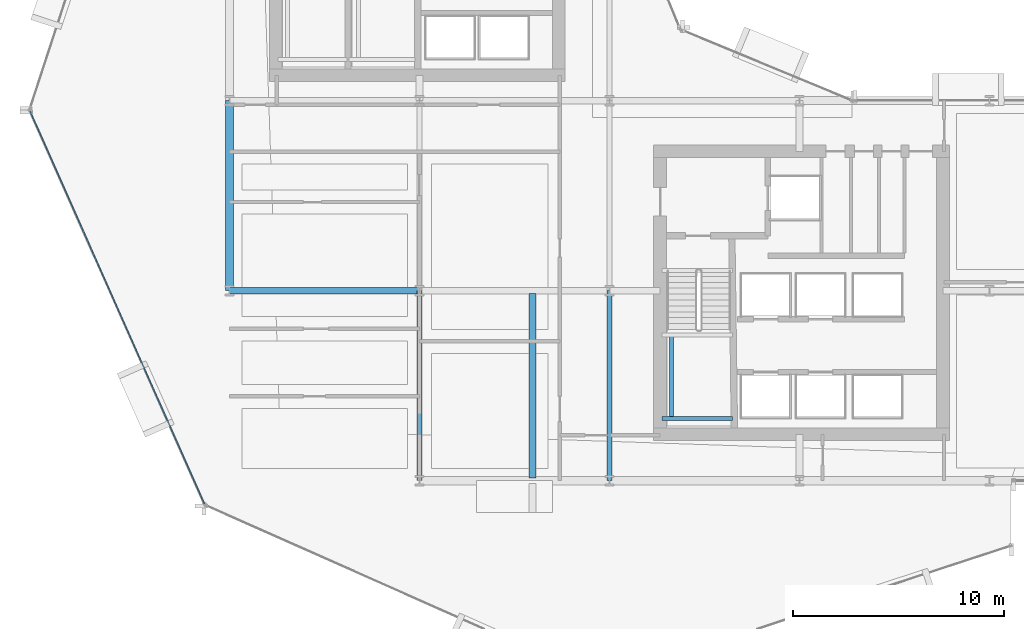
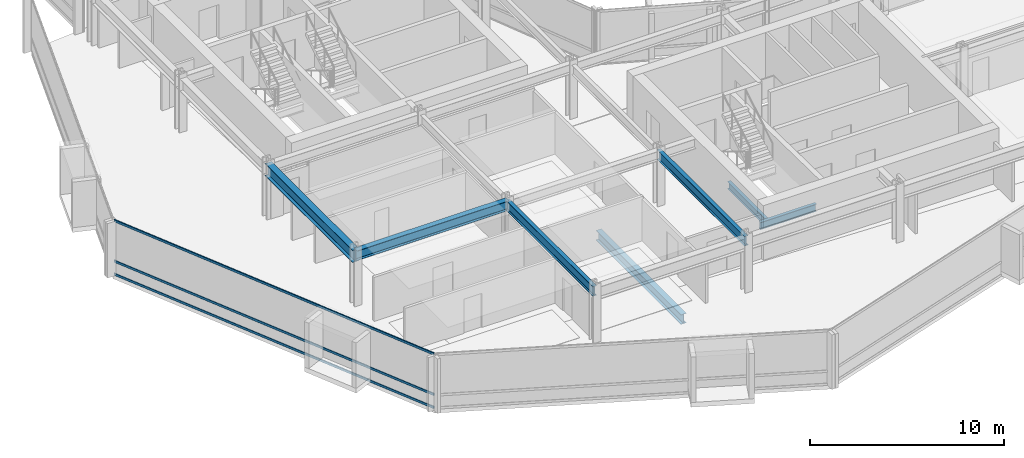
# One storey, part 5 of 34: 7 beams, 3 members, 1 element without a shape of its own.
"""IFC4 building model written with IfcOpenShell, lengths in metres."""

from ifc_helpers import new_model, si_unit, direction, frame, origin, origin_2d, place, context, subcontext, project, spatial, hollow_rectangle, i_section, extrude, material, layer, layer_set, material_profile, profile_set, type_object, element, aggregate, save


model = new_model("IFC4")

# Units and contexts
model_context = context("Model", 3, precision=1e-05, world=origin(), true_north=direction((0.0, 1.0)))
body_context = subcontext(model_context, "Body", "Model", "MODEL_VIEW")
ifc_project = project(units=[si_unit("LENGTHUNIT", "METRE"), si_unit("AREAUNIT", "SQUARE_METRE"), si_unit("VOLUMEUNIT", "CUBIC_METRE"), si_unit("PLANEANGLEUNIT", "RADIAN"), si_unit("MASSUNIT", "GRAM", prefix="KILO")], contexts=[model_context])

# Site, building, storey
site_placement = place(None, origin())
site = spatial("IfcSite", under=ifc_project, at=site_placement, CompositionType="ELEMENT")
building_placement = place(site_placement, origin())
building = spatial("IfcBuilding", under=site, at=building_placement, Name="Solvaryn Broadcast Tower", CompositionType="ELEMENT")
storey_placement = place(building_placement, frame((0.0, 0.0, 58.199951171875)))
storey = spatial("IfcBuildingStorey", under=building, at=storey_placement, Name="L13", CompositionType="ELEMENT", Elevation=58.199951171875)

# Beams
ifc_material_1 = material(Name="Steel ASTM A992 Grade 50", Category="steel")
ifc_material_profile_1 = material_profile(ifc_material_1, i_section(OverallWidth=0.323974609375, OverallDepth=0.611083984375, WebThickness=0.0126953125, FlangeThickness=0.01904296875, FilletRadius=0.014892578125, at=origin_2d()))
ifc_profile_set_1 = profile_set([ifc_material_profile_1], Name="Steel ASTM A992 Grade 50")
beam_type_1 = type_object("IfcBeamType", Name="BM-B1-W24X104", PredefinedType="BEAM", material=ifc_profile_set_1)
beam_1_placement = place(storey_placement, frame((23.35009765625, 17.875, -0.58544921875), z_axis=(0.0, -1.0, 0.0), x_axis=(1.0, 0.0, 0.0)))
element("IfcBeam", 1, at=beam_1_placement, inside=storey, type_object=beam_type_1, Name="L13 Bay-Box Back-Span Beam 1", PredefinedType="BEAM", context=body_context, shape_type="SweptSolid", body=[
    extrude(i_section(OverallWidth=0.323974609375, OverallDepth=0.611083984375, WebThickness=0.0126953125, FlangeThickness=0.01904296875, FilletRadius=0.014892578125, at=origin_2d()), origin(), (0.0, 0.0, 1.0), 8.75),
])
beam_2_placement = place(storey_placement, frame((9.0, 18.0, 3.114501953125), z_axis=(1.0, 0.0, 0.0), x_axis=(0.0, 1.0, 0.0)))
element("IfcBeam", 2, at=beam_2_placement, inside=storey, type_object=beam_type_1, Name="L13 Primary Beam X (9-18 @ Y=18)", PredefinedType="BEAM", context=body_context, shape_type="SweptSolid", body=[
    extrude(i_section(OverallWidth=0.323974609375, OverallDepth=0.611083984375, WebThickness=0.0126953125, FlangeThickness=0.01904296875, FilletRadius=0.014892578125, at=origin_2d()), origin(), (0.0, 0.0, 1.0), 9.0),
])
ifc_material_2 = material(Name="Steel ASTM A992 Grade 50", Category="steel")
ifc_material_profile_2 = material_profile(ifc_material_2, i_section(OverallWidth=0.22802734375, OverallDepth=0.60791015625, WebThickness=0.01123046875, FlangeThickness=0.017333984375, FilletRadius=0.014892578125, at=origin_2d()))
ifc_profile_set_2 = profile_set([ifc_material_profile_2], Name="Steel ASTM A992 Grade 50")
beam_type_2 = type_object("IfcBeamType", Name="BM-B2-W24X76", PredefinedType="BEAM", material=ifc_profile_set_2)
for number, where, z_axis, x_axis, name in (
    (3, (18.0, 9.0, 3.115966796875), (0.0, 1.0, 0.0), (-1.0, 0.0, 0.0), "L13 Primary Beam Y (9-18 @ X=18)"),
    (4, (27.0, 9.0, 3.115966796875), (0.0, 1.0, 0.0), (-1.0, 0.0, 0.0), "L13 Primary Beam Y (9-18 @ X=27)"),
):
    element("IfcBeam", number, at=place(storey_placement, frame(where, z_axis=z_axis, x_axis=x_axis)), inside=storey, type_object=beam_type_2, Name=name, PredefinedType="BEAM", context=body_context, shape_type="SweptSolid", body=[
        extrude(i_section(OverallWidth=0.22802734375, OverallDepth=0.60791015625, WebThickness=0.01123046875, FlangeThickness=0.017333984375, FilletRadius=0.014892578125, at=origin_2d()), origin(), (0.0, 0.0, 1.0), 9.0),
    ])
ifc_material_3 = material(Name="Steel ASTM A992 Grade 50", Category="steel")
ifc_material_profile_3 = material_profile(ifc_material_3, i_section(OverallWidth=0.18994140625, OverallDepth=0.45703125, WebThickness=0.009033203125, FlangeThickness=0.014404296875, FilletRadius=0.011962890625, at=origin_2d()))
ifc_profile_set_3 = profile_set([ifc_material_profile_3], Name="Steel ASTM A992 Grade 50")
beam_type_3 = type_object("IfcBeamType", Name="BM-B4-W18X50", PredefinedType="BEAM", material=ifc_profile_set_3)
beam_3_placement = place(storey_placement, frame((29.5, 11.949951171875, 1.421630859375), z_axis=(1.0, 0.0, 0.0), x_axis=(0.0, 1.0, 0.0)))
element("IfcBeam", 5, at=beam_3_placement, inside=storey, type_object=beam_type_3, Name="L13 ST3 Landing Support Beam 1A", PredefinedType="BEAM", context=body_context, shape_type="SweptSolid", body=[
    extrude(i_section(OverallWidth=0.18994140625, OverallDepth=0.45703125, WebThickness=0.009033203125, FlangeThickness=0.014404296875, FilletRadius=0.011962890625, at=origin_2d()), origin(), (0.0, 0.0, 1.0), 3.320068359375),
])
beam_4_placement = place(storey_placement, frame((29.949951171875, 11.949951171875, 1.421630859375), z_axis=(0.0, 1.0, 0.0), x_axis=(-1.0, 0.0, 0.0)))
element("IfcBeam", 6, at=beam_4_placement, inside=storey, type_object=beam_type_3, Name="L13 ST3 Landing Cross Stringer 1C", PredefinedType="BEAM", context=body_context, shape_type="SweptSolid", body=[
    extrude(i_section(OverallWidth=0.18994140625, OverallDepth=0.45703125, WebThickness=0.009033203125, FlangeThickness=0.014404296875, FilletRadius=0.011962890625, at=origin_2d()), origin(), (0.0, 0.0, 1.0), 3.9599609375),
])
ifc_material_4 = material(Name="Steel ASTM A992 Grade 50", Category="steel")
ifc_material_profile_4 = material_profile(ifc_material_4, i_section(OverallWidth=0.381103515625, OverallDepth=0.77294921875, WebThickness=0.0166015625, FlangeThickness=0.027099609375, FilletRadius=0.01806640625, at=origin_2d()))
ifc_profile_set_4 = profile_set([ifc_material_profile_4], Name="Steel ASTM A992 Grade 50")
beam_type_4 = type_object("IfcBeamType", Name="BM-SP1-W30X173", PredefinedType="USERDEFINED", material=ifc_profile_set_4)
beam_5_placement = place(storey_placement, frame((9.0, 18.0, 3.033447265625), z_axis=(0.0, 1.0, 0.0), x_axis=(-1.0, 0.0, 0.0)))
element("IfcBeam", 7, at=beam_5_placement, inside=storey, type_object=beam_type_4, Name="L13 Spandrel Beam Y (18-27 @ X=9)", ObjectType="SPANDREL", PredefinedType="USERDEFINED", context=body_context, shape_type="SweptSolid", body=[
    extrude(i_section(OverallWidth=0.381103515625, OverallDepth=0.77294921875, WebThickness=0.0166015625, FlangeThickness=0.027099609375, FilletRadius=0.01806640625, at=origin_2d()), origin(), (0.0, 0.0, 1.0), 9.0),
])

# Curtain wall, members
ifc_material_5 = material(Name="Aluminium and Terracotta Unitised Curtain Wall", Category="masonry")
ifc_layer = layer(ifc_material_5, 0.239990234375)
ifc_layer_set = layer_set([ifc_layer], Name="CW-SYS3-BAYBOX")
curtain_wall_type = type_object("IfcCurtainWallType", Name="CW-SYS3-BAYBOX", PredefinedType="NOTDEFINED", material=ifc_layer_set)
curtain_wall_placement = place(storey_placement, origin())
curtain_wall = element("IfcCurtainWall", 8, at=curtain_wall_placement, inside=storey, type_object=curtain_wall_type, Name="L13 Curtain Wall DR2", PredefinedType="NOTDEFINED")
ifc_material_6 = material(Name="Anodised Aluminium 6063-T6", Category="aluminium")
ifc_material_profile_5 = material_profile(ifc_material_6, hollow_rectangle(XDim=0.06494140625, YDim=0.14990234375, WallThickness=0.00390625, InnerFilletRadius=0.00390625, OuterFilletRadius=0.008056640625, at=origin_2d()))
ifc_profile_set_5 = profile_set([ifc_material_profile_5], Name="Anodised Aluminium 6063-T6")
member_type = type_object("IfcMemberType", Name="CW-TRN-150", PredefinedType="USERDEFINED", material=ifc_profile_set_5)
member_1_placement = place(storey_placement, frame((-0.439697265625, 26.505126953125, 0.030029296875), z_axis=(0.405905872269, -0.913914888191, 0.0), x_axis=(0.913914888191, 0.405905872269, 0.0)))
member_1 = element("IfcMember", 9, at=member_1_placement, type_object=member_type, Name="CWS3 transom 1.1", ObjectType="TRANSOM", PredefinedType="USERDEFINED", context=body_context, shape_type="SweptSolid", body=[
    extrude(hollow_rectangle(XDim=0.06494140625, YDim=0.14990234375, WallThickness=0.00390625, InnerFilletRadius=0.00390625, OuterFilletRadius=0.008056640625, at=origin_2d()), origin(), (0.0, 0.0, 1.0), 20.35546875),
])
member_2_placement = place(storey_placement, frame((-0.439697265625, 26.505126953125, 0.85009765625), z_axis=(0.405905872269, -0.913914888191, 0.0), x_axis=(0.913914888191, 0.405905872269, 0.0)))
member_2 = element("IfcMember", 10, at=member_2_placement, type_object=member_type, Name="CWS3 transom 1.2", ObjectType="TRANSOM", PredefinedType="USERDEFINED", context=body_context, shape_type="SweptSolid", body=[
    extrude(hollow_rectangle(XDim=0.06494140625, YDim=0.14990234375, WallThickness=0.00390625, InnerFilletRadius=0.00390625, OuterFilletRadius=0.008056640625, at=origin_2d()), origin(), (0.0, 0.0, 1.0), 20.35546875),
])
member_3_placement = place(storey_placement, frame((-0.439697265625, 26.505126953125, 3.39013671875), z_axis=(0.405905872269, -0.913914888191, 0.0), x_axis=(0.913914888191, 0.405905872269, 0.0)))
member_3 = element("IfcMember", 11, at=member_3_placement, type_object=member_type, Name="CWS3 transom 1.3", ObjectType="TRANSOM", PredefinedType="USERDEFINED", context=body_context, shape_type="SweptSolid", body=[
    extrude(hollow_rectangle(XDim=0.06494140625, YDim=0.14990234375, WallThickness=0.00390625, InnerFilletRadius=0.00390625, OuterFilletRadius=0.008056640625, at=origin_2d()), origin(), (0.0, 0.0, 1.0), 20.35546875),
])
aggregate(curtain_wall, [member_1, member_2, member_3])

save(model, "model.ifc")
